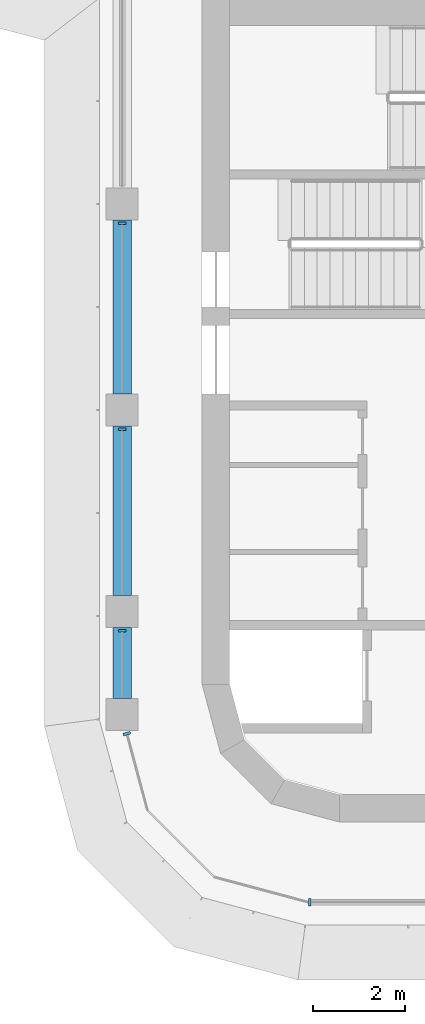
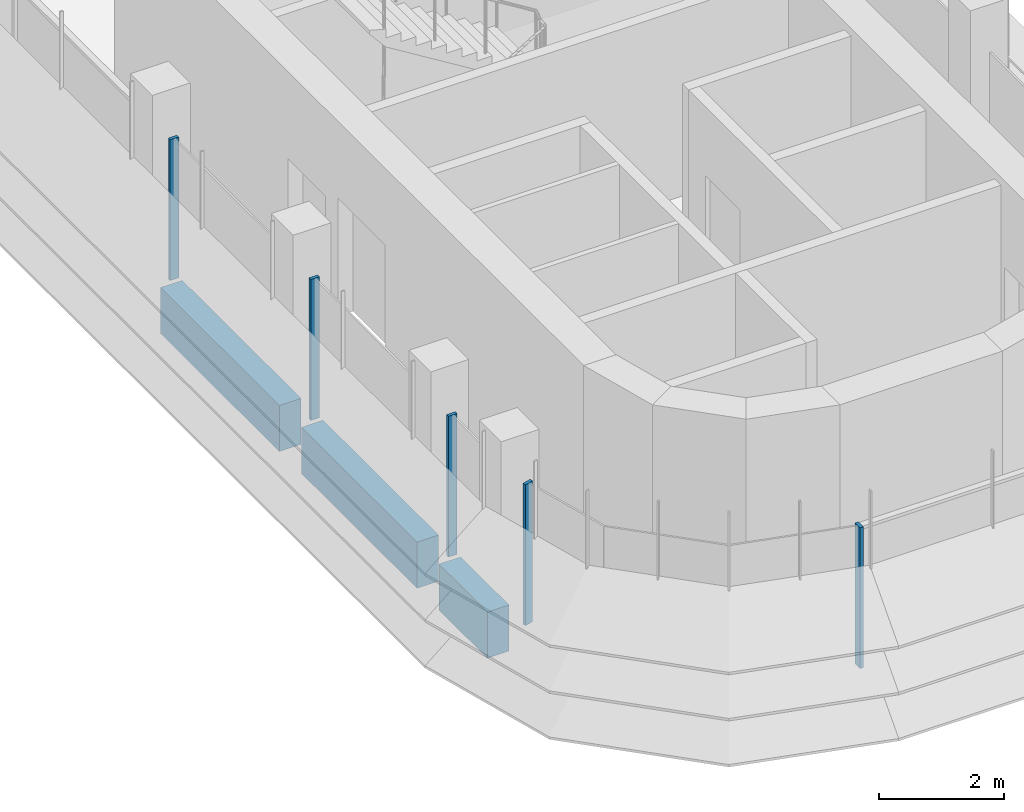
# One storey, part 2 of 19: 5 members, 3 beams, 3 elements without a shape of their own.
"""IFC4 building model written with IfcOpenShell, lengths in metres."""

from ifc_helpers import new_model, si_unit, direction, frame, origin, origin_2d, place, context, subcontext, project, spatial, polyline, rectangle, outline, extrude, source, transform, mapped, material, material_profile, profile_set, type_object, element, aggregate, save


model = new_model("IFC4")

# Units and contexts
model_context = context("Model", 3, precision=1e-05, world=origin(), true_north=direction((0.0, 1.0)))
body_context = subcontext(model_context, "Body", "Model", "MODEL_VIEW")
ifc_project = project(units=[si_unit("LENGTHUNIT", "METRE"), si_unit("AREAUNIT", "SQUARE_METRE"), si_unit("VOLUMEUNIT", "CUBIC_METRE"), si_unit("PLANEANGLEUNIT", "RADIAN"), si_unit("MASSUNIT", "GRAM", prefix="KILO")], contexts=[model_context])

# Site, building, storey
site_placement = place(None, origin())
site = spatial("IfcSite", under=ifc_project, at=site_placement, CompositionType="ELEMENT")
building_placement = place(site_placement, origin())
building = spatial("IfcBuilding", under=site, at=building_placement, Name="Zarbagh Exchange Tower", CompositionType="ELEMENT")
storey_placement = place(building_placement, frame((0.0, 0.0, 241.0)))
storey = spatial("IfcBuildingStorey", under=building, at=storey_placement, Name="L59", CompositionType="ELEMENT", Elevation=241.0)

# Beams
ifc_material_1 = material(Name="Concrete C50/60", Category="concrete")
ifc_material_profile = material_profile(ifc_material_1, rectangle(XDim=0.39990234375, YDim=0.89990234375, at=origin_2d()), Name="RC spandrel beam 400 x 900 C50/60")
ifc_profile_set = profile_set([ifc_material_profile], Name="Concrete C50/60")
beam_type = type_object("IfcBeamType", Name="RC spandrel beam 400 x 900 C50/60", PredefinedType="SPANDREL", material=ifc_profile_set)
beam_1_placement = place(storey_placement, frame((-6.25, -26.550048828125, -0.60009765625), z_axis=(0.0, 1.0, 0.0), x_axis=(-1.0, 0.0, 0.0)))
element("IfcBeam", 1, at=beam_1_placement, inside=storey, type_object=beam_type, Name="RC spandrel beam", PredefinedType="SPANDREL", context=body_context, shape_type="SweptSolid", body=[
    extrude(rectangle(XDim=0.39990234375, YDim=0.89990234375, at=origin_2d()), origin(), (0.0, 0.0, 1.0), 1.550048828125),
])
beam_2_placement = place(storey_placement, frame((-6.25, -24.300048828125, -0.60009765625), z_axis=(0.0, 1.0, 0.0), x_axis=(-1.0, 0.0, 0.0)))
element("IfcBeam", 2, at=beam_2_placement, inside=storey, type_object=beam_type, Name="RC spandrel beam", PredefinedType="SPANDREL", context=body_context, shape_type="SweptSolid", body=[
    extrude(rectangle(XDim=0.39990234375, YDim=0.89990234375, at=origin_2d()), origin(), (0.0, 0.0, 1.0), 3.699951171875),
])
beam_3_placement = place(storey_placement, frame((-6.25, -19.89990234375, -0.60009765625), z_axis=(0.0, 1.0, 0.0), x_axis=(-1.0, 0.0, 0.0)))
element("IfcBeam", 3, at=beam_3_placement, inside=storey, type_object=beam_type, Name="RC spandrel beam", PredefinedType="SPANDREL", context=body_context, shape_type="SweptSolid", body=[
    extrude(rectangle(XDim=0.39990234375, YDim=0.89990234375, at=origin_2d()), origin(), (0.0, 0.0, 1.0), 3.7998046875),
])

# Curtain wall, members
ifc_material_2 = material(Name="Anodised aluminium frame and glazing", Category="aluminium")
curtain_wall_type = type_object("IfcCurtainWallType", Name="CWB Ribbon glazing, upper zones", PredefinedType="NOTDEFINED", material=ifc_material_2)
curtain_wall_1_placement = place(storey_placement, origin())
curtain_wall_1 = element("IfcCurtainWall", 4, at=curtain_wall_1_placement, inside=storey, type_object=curtain_wall_type, Name="CWB53 curtain wall", PredefinedType="NOTDEFINED")
ifc_material_3 = material(Name="Anodised aluminium frame", Category="aluminium")
member_type = type_object("IfcMemberType", Name="MUB Mullion, anodised aluminium frame", PredefinedType="MULLION", material=ifc_material_3)
shared_shape = source(origin(), body_context, "Body", "SweptSolid", [
    extrude(outline(polyline([(0.0, -0.080078125), (0.06005859375, -0.080078125), (0.06005859375, 0.080078125), (0.0, 0.080078125), (0.0, -0.080078125)])), origin(), (0.0, 0.0, 1.0), 2.75),
])
placement = place(storey_placement, origin())
member_1 = element("IfcMember", 5, at=placement, type_object=member_type, Name="CWB53 mullion 2.1", PredefinedType="MULLION", context=body_context, shape_type="MappedRepresentation", body=[
    mapped(shared_shape, transform((-6.25, -16.14013671875, 0.0), x_axis=(0.0, -1.0, 0.0), y_axis=(1.0, 0.0, 0.0), z_axis=(0.0, 0.0, 1.0))),
])
member_2 = element("IfcMember", 6, at=placement, type_object=member_type, Name="CWB53 mullion 3.1", PredefinedType="MULLION", context=body_context, shape_type="MappedRepresentation", body=[
    mapped(shared_shape, transform((-6.25, -20.64013671875, 0.0), x_axis=(0.0, -1.0, 0.0), y_axis=(1.0, 0.0, 0.0), z_axis=(0.0, 0.0, 1.0))),
])
member_3 = element("IfcMember", 7, at=placement, type_object=member_type, Name="CWB53 mullion 4.1", PredefinedType="MULLION", context=body_context, shape_type="MappedRepresentation", body=[
    mapped(shared_shape, transform((-6.25, -25.0400390625, 0.0), x_axis=(0.0, -1.0, 0.0), y_axis=(1.0, 0.0, 0.0), z_axis=(0.0, 0.0, 1.0))),
])
aggregate(curtain_wall_1, [member_1, member_2, member_3])

# Curtain wall, member
curtain_wall_2_placement = place(storey_placement, origin())
curtain_wall_2 = element("IfcCurtainWall", 8, at=curtain_wall_2_placement, inside=storey, type_object=curtain_wall_type, Name="CWB54 curtain wall", PredefinedType="NOTDEFINED")
member_4 = element("IfcMember", 9, at=placement, type_object=member_type, Name="CWB54 mullion 1.1", PredefinedType="MULLION", context=body_context, shape_type="MappedRepresentation", body=[
    mapped(shared_shape, transform((-6.154541015625, -27.2900390625, 0.0), x_axis=(0.258824779902, -0.965924289636, 0.0), y_axis=(0.965924289636, 0.258824779902, 0.0), z_axis=(0.0, 0.0, 1.0))),
])
aggregate(curtain_wall_2, [member_4])

curtain_wall_3_placement = place(storey_placement, origin())
curtain_wall_3 = element("IfcCurtainWall", 10, at=curtain_wall_3_placement, inside=storey, type_object=curtain_wall_type, Name="CWB57 curtain wall", PredefinedType="NOTDEFINED")
member_5 = element("IfcMember", 11, at=placement, type_object=member_type, Name="CWB57 mullion 1.1", PredefinedType="MULLION", context=body_context, shape_type="MappedRepresentation", body=[
    mapped(shared_shape, transform((-2.18408203125, -31.0, 0.0), x_axis=(1.0, 0.0, 0.0), y_axis=(0.0, 1.0, 0.0), z_axis=(0.0, 0.0, 1.0))),
])
aggregate(curtain_wall_3, [member_5])

save(model, "model.ifc")
